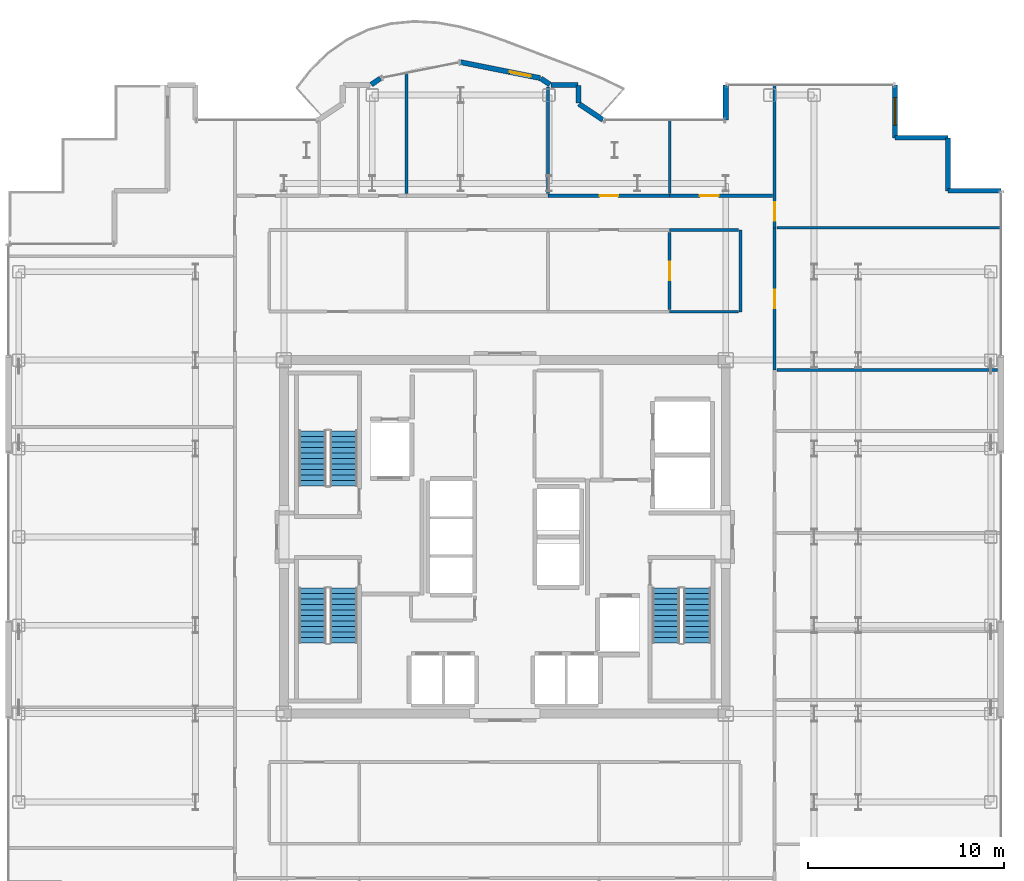
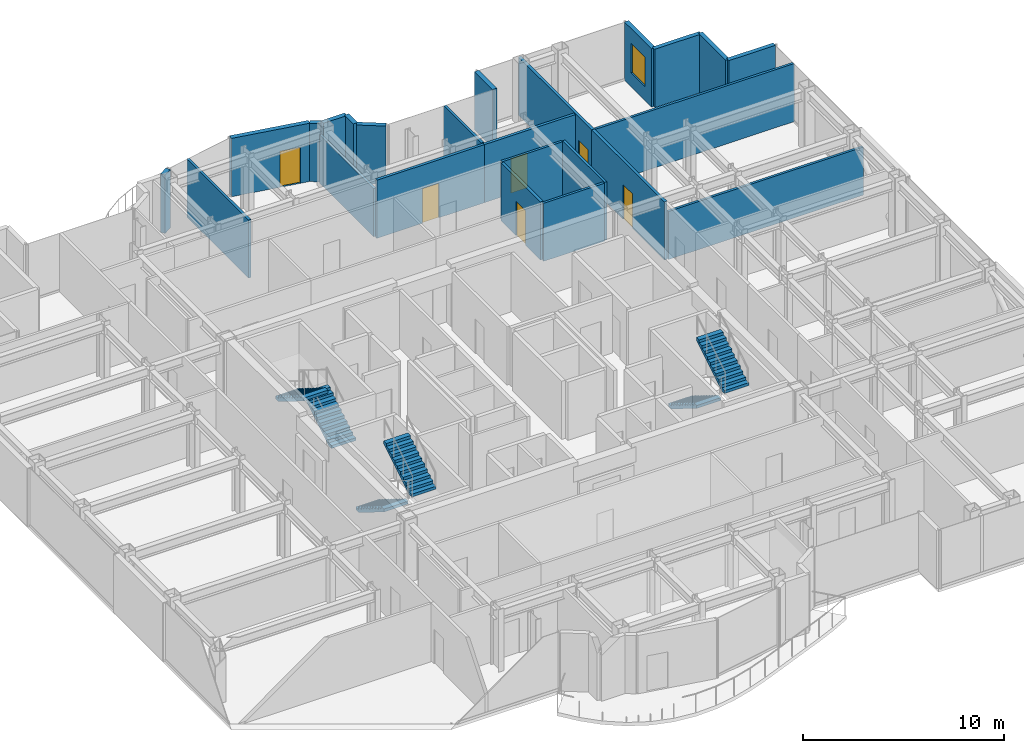
# One storey, part 20 of 22: 24 walls, 6 doors, 6 stair flights, 1 window, 7 openings, 3 elements without a shape of their own.
"""IFC4 building model written with IfcOpenShell, lengths in metres."""

from ifc_helpers import new_model, si_unit, direction, frame, frame_2d, origin, place, context, subcontext, project, spatial, polyline, rectangle, outline, extrude, source, transform, mapped, material, layer, layer_set, type_object, element, fill, aggregate, save


model = new_model("IFC4")

# Units and contexts
model_context = context("Model", 3, precision=1e-05, world=origin(), true_north=direction((0.0, 1.0)))
body_context = subcontext(model_context, "Body", "Model", "MODEL_VIEW")
ifc_project = project(units=[si_unit("LENGTHUNIT", "METRE"), si_unit("AREAUNIT", "SQUARE_METRE"), si_unit("VOLUMEUNIT", "CUBIC_METRE"), si_unit("PLANEANGLEUNIT", "RADIAN"), si_unit("MASSUNIT", "GRAM", prefix="KILO")], contexts=[model_context])

# Site, building, storey
site_placement = place(None, origin())
site = spatial("IfcSite", under=ifc_project, at=site_placement, CompositionType="ELEMENT")
building_placement = place(site_placement, origin())
building = spatial("IfcBuilding", under=site, at=building_placement, Name="Nefas-Gora Pilgrimage Tower", CompositionType="ELEMENT")
storey_placement = place(building_placement, frame((0.0, 0.0, 240.800048828125)))
storey = spatial("IfcBuildingStorey", under=building, at=storey_placement, Name="L60", CompositionType="ELEMENT", Elevation=240.800048828125)

# Walls
ifc_material_1 = material(Name="Precast concrete C40/50", Category="concrete")
ifc_layer_1 = layer(ifc_material_1, 0.260009765625)
ifc_layer_set_1 = layer_set([ifc_layer_1], Name="Precast concrete C40/50")
wall_type_1 = type_object("IfcWallType", Name="EW-PORTAL-260", PredefinedType="SOLIDWALL", material=ifc_layer_set_1)
shared_shape_1 = source(origin(), body_context, "Body", "SweptSolid", [
    extrude(rectangle(XDim=1.800048828125, YDim=0.260009765625, at=frame_2d((0.89990234375, 0.0))), origin(), (0.0, 0.0, 1.0), 3.550048828125),
])
wall_1_placement = place(storey_placement, frame((11.25, 23.02001953125, 0.0), z_axis=(0.0, 0.0, 1.0), x_axis=(0.0, -1.0, 0.0)))
element("IfcWall", 1, at=wall_1_placement, inside=storey, type_object=wall_type_1, Name="L60 Lobe Shoulder Precast Spandrel Pier 14", PredefinedType="SOLIDWALL", context=body_context, shape_type="MappedRepresentation", body=[
    mapped(shared_shape_1, transform((0.0, 0.0, 0.0), x_axis=(1.0, 0.0, 0.0), y_axis=(0.0, 1.0, 0.0), z_axis=(0.0, 0.0, 1.0), scale=1.0)),
])
ifc_material_2 = material(Name="Precast concrete C45/55", Category="concrete")
ifc_layer_2 = layer(ifc_material_2, 0.239990234375)
ifc_layer_set_2 = layer_set([ifc_layer_2], Name="Precast concrete C45/55")
wall_type_2 = type_object("IfcWallType", Name="EW-SERR-240", PredefinedType="SHEAR", material=ifc_layer_set_2)
shared_shape_2 = source(origin(), body_context, "Body", "SweptSolid", [
    extrude(rectangle(XDim=2.699951171875, YDim=0.239990234375, at=frame_2d((1.35009765625, 0.0))), origin(), (0.0, 0.0, 1.0), 3.550048828125),
])
for number, where, z_axis, x_axis, name in (
    (2, (25.27001953125, 17.6201171875, 0.0), (0.0, 0.0, 1.0), (-1.0, 0.0, 0.0), "L60 Serrated Corner Shear Pier Wall 10"),
    (3, (22.570068359375, 17.6201171875, 0.0), (0.0, 0.0, 1.0), (0.0, 1.0, 0.0), "L60 Serrated Corner Shear Pier Wall 11"),
    (4, (22.570068359375, 20.320068359375, 0.0), (0.0, 0.0, 1.0), (-1.0, 0.0, 0.0), "L60 Serrated Corner Shear Pier Wall 12"),
):
    element("IfcWall", number, at=place(storey_placement, frame(where, z_axis=z_axis, x_axis=x_axis)), inside=storey, type_object=wall_type_2, Name=name, PredefinedType="SHEAR", context=body_context, shape_type="MappedRepresentation", body=[
        mapped(shared_shape_2, transform((0.0, 0.0, 0.0), x_axis=(1.0, 0.0, 0.0), y_axis=(0.0, 1.0, 0.0), z_axis=(0.0, 0.0, 1.0), scale=1.0)),
    ])

# Wall, opening, window
wall_2_placement = place(storey_placement, frame((19.8701171875, 20.320068359375, 0.0), z_axis=(0.0, 0.0, 1.0), x_axis=(0.0, 1.0, 0.0)))
wall_2 = element("IfcWall", 5, at=wall_2_placement, inside=storey, type_object=wall_type_2, Name="L60 Serrated Corner Shear Pier Wall 13", PredefinedType="SHEAR", context=body_context, shape_type="MappedRepresentation", body=[
    mapped(shared_shape_2, transform((0.0, 0.0, 0.0), x_axis=(1.0, 0.0, 0.0), y_axis=(0.0, 1.0, 0.0), z_axis=(0.0, 0.0, 1.0), scale=1.0)),
])
opening_1_placement = place(wall_2_placement, frame((0.64990234375, 0.0, 0.85009765625)))
opening_1 = element("IfcOpeningElement", 6, at=opening_1_placement, cuts=wall_2, Name="Opening W-V2", PredefinedType="OPENING", context=body_context, shape_type="SweptSolid", body=[
    extrude(rectangle(XDim=1.39990234375, YDim=1.800048828125, at=frame_2d((0.699951171875, 0.89990234375))), frame((0.0, 0.1298828125, 0.0), z_axis=(0.0, -1.0, 0.0), x_axis=(1.0, 0.0, 0.0)), (0.0, 0.0, 1.0), 0.260009765625),
])
ifc_material_3 = material(Name="Dark ceramic-fritted operable aluminium-glass window", Category="aluminium")
window_type = type_object("IfcWindowType", Name="WIN-VENT-1400x1800", PartitioningType="SINGLE_PANEL", PredefinedType="WINDOW", material=ifc_material_3)
shared_shape_3 = source(origin(), body_context, "Body", "SweptSolid", [
    extrude(rectangle(XDim=1.39990234375, YDim=1.800048828125, at=frame_2d((0.699951171875, 0.89990234375))), frame((0.0, 0.030029296875, 0.0), z_axis=(0.0, -1.0, 0.0), x_axis=(1.0, 0.0, 0.0)), (0.0, 0.0, 1.0), 0.06005859375),
])
window_placement = place(opening_1_placement, origin())
window = element("IfcWindow", 7, at=window_placement, inside=storey, type_object=window_type, Name="L60 Operable Parallel-Outswing Window 13", OverallHeight=1.800048828125, OverallWidth=1.39990234375, PartitioningType="SINGLE_PANEL", PredefinedType="WINDOW", context=body_context, shape_type="MappedRepresentation", body=[
    mapped(shared_shape_3, transform((0.0, 0.0, 0.0), x_axis=(1.0, 0.0, 0.0), y_axis=(0.0, 1.0, 0.0), z_axis=(0.0, 0.0, 1.0), scale=1.0)),
])
fill(opening_1, window)

# Walls
shared_shape_4 = source(origin(), body_context, "Body", "SweptSolid", [
    extrude(rectangle(XDim=1.468994140625, YDim=0.260009765625, at=frame_2d((0.734375, 0.0))), origin(), (0.0, 0.0, 1.0), 3.550048828125),
])
wall_3_placement = place(storey_placement, frame((4.99462890625, 21.235595703125, 0.0), z_axis=(0.0, 0.0, 1.0), x_axis=(-0.831461760506, 0.555581983884, 0.0)))
element("IfcWall", 8, at=wall_3_placement, inside=storey, type_object=wall_type_1, Name="L60 Lobe Shoulder Precast Spandrel Pier 15", PredefinedType="SOLIDWALL", context=body_context, shape_type="MappedRepresentation", body=[
    mapped(shared_shape_4, transform((0.0, 0.0, 0.0), x_axis=(1.0, 0.0, 0.0), y_axis=(0.0, 1.0, 0.0), z_axis=(0.0, 0.0, 1.0), scale=1.0)),
])
shared_shape_5 = source(origin(), body_context, "Body", "SweptSolid", [
    extrude(rectangle(XDim=0.896728515625, YDim=0.260009765625, at=frame_2d((0.4482421875, 0.0))), origin(), (0.0, 0.0, 1.0), 3.550048828125),
])
wall_4_placement = place(storey_placement, frame((3.75, 22.09521484375, 0.0), z_axis=(0.0, 0.0, 1.0), x_axis=(0.0, 1.0, 0.0)))
element("IfcWall", 9, at=wall_4_placement, inside=storey, type_object=wall_type_1, Name="L60 Lobe Shoulder Precast Spandrel Pier 16", PredefinedType="SOLIDWALL", context=body_context, shape_type="MappedRepresentation", body=[
    mapped(shared_shape_5, transform((0.0, 0.0, 0.0), x_axis=(1.0, 0.0, 0.0), y_axis=(0.0, 1.0, 0.0), z_axis=(0.0, 0.0, 1.0), scale=1.0)),
])
shared_shape_6 = source(origin(), body_context, "Body", "SweptSolid", [
    extrude(rectangle(XDim=1.369873046875, YDim=0.260009765625, at=frame_2d((0.68505859375, 0.0))), origin(), (0.0, 0.0, 1.0), 3.550048828125),
])
wall_5_placement = place(storey_placement, frame((3.721923828125, 23.02001953125, 0.0), z_axis=(0.0, 0.0, 1.0), x_axis=(-1.0, 0.0, 0.0)))
element("IfcWall", 10, at=wall_5_placement, inside=storey, type_object=wall_type_1, Name="L60 Lobe Shoulder Precast Spandrel Pier 17", PredefinedType="SOLIDWALL", context=body_context, shape_type="MappedRepresentation", body=[
    mapped(shared_shape_6, transform((0.0, 0.0, 0.0), x_axis=(1.0, 0.0, 0.0), y_axis=(0.0, 1.0, 0.0), z_axis=(0.0, 0.0, 1.0), scale=1.0)),
])
shared_shape_7 = source(origin(), body_context, "Body", "SweptSolid", [
    extrude(rectangle(XDim=0.5654296875, YDim=0.260009765625, at=frame_2d((0.28271484375, 0.0))), origin(), (0.0, 0.0, 1.0), 3.550048828125),
])
for number, where, z_axis, x_axis, name in (
    (11, (2.30078125, 23.03564453125, 0.0), (0.0, 0.0, 1.0), (-0.831651492666, 0.555297933317, 0.0), "L60 Lobe Shoulder Precast Spandrel Pier 18"),
    (12, (-6.33056640625, 23.349609375, 0.0), (0.0, 0.0, 1.0), (-0.831651492666, -0.555297933317, 0.0), "L60 Lobe Shoulder Precast Spandrel Pier 20"),
):
    element("IfcWall", number, at=place(storey_placement, frame(where, z_axis=z_axis, x_axis=x_axis)), inside=storey, type_object=wall_type_1, Name=name, PredefinedType="SOLIDWALL", context=body_context, shape_type="MappedRepresentation", body=[
        mapped(shared_shape_7, transform((0.0, 0.0, 0.0), x_axis=(1.0, 0.0, 0.0), y_axis=(0.0, 1.0, 0.0), z_axis=(0.0, 0.0, 1.0), scale=1.0)),
    ])

# Wall, opening, door
shared_shape_8 = source(origin(), body_context, "Body", "SweptSolid", [
    extrude(rectangle(XDim=4.136962890625, YDim=0.260009765625, at=frame_2d((2.068359375, 0.0))), origin(), (0.0, 0.0, 1.0), 3.550048828125),
])
wall_6_placement = place(storey_placement, frame((1.807373046875, 23.365234375, 0.0), z_axis=(0.0, 0.0, 1.0), x_axis=(-0.980782170794, 0.195105954428, 0.0)))
wall_6 = element("IfcWall", 13, at=wall_6_placement, inside=storey, type_object=wall_type_1, Name="L60 Insulated Terrace Portal Wall 19", PredefinedType="SOLIDWALL", context=body_context, shape_type="MappedRepresentation", body=[
    mapped(shared_shape_8, transform((0.0, 0.0, 0.0), x_axis=(1.0, 0.0, 0.0), y_axis=(0.0, 1.0, 0.0), z_axis=(0.0, 0.0, 1.0), scale=1.0)),
])
opening_2_placement = place(wall_6_placement, frame((0.48779296875, 0.0, 0.0)))
opening_2 = element("IfcOpeningElement", 14, at=opening_2_placement, cuts=wall_6, Name="Opening ED-B1", PredefinedType="OPENING", context=body_context, shape_type="SweptSolid", body=[
    extrude(rectangle(XDim=1.10009765625, YDim=2.199951171875, at=frame_2d((0.550048828125, 1.10009765625))), frame((0.0, 0.139892578125, 0.0), z_axis=(0.0, -1.0, 0.0), x_axis=(1.0, 0.0, 0.0)), (0.0, 0.0, 1.0), 0.280029296875),
])
ifc_material_4 = material(Name="Thermally broken glazed aluminium balcony door", Category="aluminium")
door_type_1 = type_object("IfcDoorType", Name="DR-EXT-BAL-1100", OperationType="NOTDEFINED", PredefinedType="DOOR", material=ifc_material_4)
shared_shape_9 = source(origin(), body_context, "Body", "SweptSolid", [
    extrude(rectangle(XDim=1.10009765625, YDim=2.199951171875, at=frame_2d((0.550048828125, 1.10009765625))), frame((0.0, 0.02490234375, 0.0), z_axis=(0.0, -1.0, 0.0), x_axis=(1.0, 0.0, 0.0)), (0.0, 0.0, 1.0), 0.050048828125),
])
door_1_placement = place(opening_2_placement, origin())
door_1 = element("IfcDoor", 15, at=door_1_placement, inside=storey, type_object=door_type_1, Name="L60 Exterior Door (L60 N Lobe Wave Balcony)", OperationType="SINGLE_SWING_RIGHT", OverallHeight=2.199951171875, OverallWidth=1.10009765625, PredefinedType="DOOR", context=body_context, shape_type="MappedRepresentation", body=[
    mapped(shared_shape_9, transform((0.0, 0.0, 0.0), x_axis=(1.0, 0.0, 0.0), y_axis=(0.0, 1.0, 0.0), z_axis=(0.0, 0.0, 1.0), scale=1.0)),
])
fill(opening_2, door_1)

ifc_material_5 = material(Name="Gypsum acoustic stud partition")
ifc_layer_3 = layer(ifc_material_5, 0.159912109375)
ifc_layer_set_3 = layer_set([ifc_layer_3], Name="Gypsum acoustic stud partition")
wall_type_3 = type_object("IfcWallType", Name="IW-CORR-160", PredefinedType="PARTITIONING", material=ifc_layer_set_3)
shared_shape_10 = source(origin(), body_context, "Body", "SweptSolid", [
    extrude(rectangle(XDim=5.22509765625, YDim=0.159912109375, at=frame_2d((2.612548828125, 0.0))), origin(), (0.0, 0.0, 1.0), 3.534912109375),
])
wall_7_placement = place(storey_placement, frame((8.39501953125, 17.3701171875, 0.0), z_axis=(0.0, 0.0, 1.0), x_axis=(1.0, 0.0, 0.0)))
wall_7 = element("IfcWall", 16, at=wall_7_placement, inside=storey, type_object=wall_type_3, Name="L60 Pilgrim Contemplative Lounge Partition Wall 69", PredefinedType="PARTITIONING", context=body_context, shape_type="MappedRepresentation", body=[
    mapped(shared_shape_10, transform((0.0, 0.0, 0.0), x_axis=(1.0, 0.0, 0.0), y_axis=(0.0, 1.0, 0.0), z_axis=(0.0, 0.0, 1.0), scale=1.0)),
])
opening_3_placement = place(wall_7_placement, frame((1.543212890625, 0.0, 0.0)))
opening_3 = element("IfcOpeningElement", 17, at=opening_3_placement, cuts=wall_7, Name="Opening ID-GR1", PredefinedType="OPENING", context=body_context, shape_type="SweptSolid", body=[
    extrude(rectangle(XDim=0.949951171875, YDim=2.10009765625, at=frame_2d((0.47509765625, 1.050048828125))), frame((0.0, 0.08984375, 0.0), z_axis=(0.0, -1.0, 0.0), x_axis=(1.0, 0.0, 0.0)), (0.0, 0.0, 1.0), 0.179931640625),
])
ifc_material_6 = material(Name="Solid core oak fire-rated guest entrance door")
door_type_2 = type_object("IfcDoorType", Name="DR-INT-GUEST-950", OperationType="NOTDEFINED", PredefinedType="DOOR", material=ifc_material_6)
shared_shape_11 = source(origin(), body_context, "Body", "SweptSolid", [
    extrude(rectangle(XDim=0.949951171875, YDim=2.10009765625, at=frame_2d((0.47509765625, 1.050048828125))), frame((0.0, 0.02490234375, 0.0), z_axis=(0.0, -1.0, 0.0), x_axis=(1.0, 0.0, 0.0)), (0.0, 0.0, 1.0), 0.050048828125),
])
door_2_placement = place(opening_3_placement, origin())
door_2 = element("IfcDoor", 18, at=door_2_placement, inside=storey, type_object=door_type_2, Name="L60 Pilgrim Contemplative Lounge Door 32", OperationType="SINGLE_SWING_RIGHT", OverallHeight=2.10009765625, OverallWidth=0.949951171875, PredefinedType="DOOR", context=body_context, shape_type="MappedRepresentation", body=[
    mapped(shared_shape_11, transform((0.0, 0.0, 0.0), x_axis=(1.0, 0.0, 0.0), y_axis=(0.0, 1.0, 0.0), z_axis=(0.0, 0.0, 1.0), scale=1.0)),
])
fill(opening_3, door_2)

shared_shape_12 = source(origin(), body_context, "Body", "SweptSolid", [
    extrude(rectangle(XDim=6.2099609375, YDim=0.159912109375, at=frame_2d((3.10498046875, 0.0))), origin(), (0.0, 0.0, 1.0), 3.534912109375),
])
wall_8_placement = place(storey_placement, frame((2.195068359375, 17.3701171875, 0.0), z_axis=(0.0, 0.0, 1.0), x_axis=(1.0, 0.0, 0.0)))
wall_8 = element("IfcWall", 19, at=wall_8_placement, inside=storey, type_object=wall_type_3, Name="L60 Pilgrim Contemplative Lounge Partition Wall 64", PredefinedType="PARTITIONING", context=body_context, shape_type="MappedRepresentation", body=[
    mapped(shared_shape_12, transform((0.0, 0.0, 0.0), x_axis=(1.0, 0.0, 0.0), y_axis=(0.0, 1.0, 0.0), z_axis=(0.0, 0.0, 1.0), scale=1.0)),
])
opening_4_placement = place(wall_8_placement, frame((2.6298828125, 0.0, 0.0)))
opening_4 = element("IfcOpeningElement", 20, at=opening_4_placement, cuts=wall_8, Name="Opening ID-GR1", PredefinedType="OPENING", context=body_context, shape_type="SweptSolid", body=[
    extrude(rectangle(XDim=0.949951171875, YDim=2.10009765625, at=frame_2d((0.47509765625, 1.050048828125))), frame((0.0, 0.08984375, 0.0), z_axis=(0.0, -1.0, 0.0), x_axis=(1.0, 0.0, 0.0)), (0.0, 0.0, 1.0), 0.179931640625),
])
door_3_placement = place(opening_4_placement, origin())
door_3 = element("IfcDoor", 21, at=door_3_placement, inside=storey, type_object=door_type_2, Name="L60 Pilgrim Contemplative Lounge Door 29", OperationType="SINGLE_SWING_LEFT", OverallHeight=2.10009765625, OverallWidth=0.949951171875, PredefinedType="DOOR", context=body_context, shape_type="MappedRepresentation", body=[
    mapped(shared_shape_11, transform((0.0, 0.0, 0.0), x_axis=(1.0, 0.0, 0.0), y_axis=(0.0, 1.0, 0.0), z_axis=(0.0, 0.0, 1.0), scale=1.0)),
])
fill(opening_4, door_3)

# Wall
ifc_material_7 = material(Name="Gypsum twin-stud partition")
ifc_layer_4 = layer(ifc_material_7, 0.139892578125)
ifc_layer_set_4 = layer_set([ifc_layer_4], Name="Gypsum twin-stud partition")
wall_type_4 = type_object("IfcWallType", Name="IW-UNIT-140", PredefinedType="PARTITIONING", material=ifc_layer_set_4)
shared_shape_13 = source(origin(), body_context, "Body", "SweptSolid", [
    extrude(rectangle(XDim=11.429931640625, YDim=0.139892578125, at=frame_2d((5.71484375, 0.0))), origin(), (0.0, 0.0, 1.0), 3.534912109375),
])
wall_9_placement = place(storey_placement, frame((13.860107421875, 15.74755859375, 0.0), z_axis=(0.0, 0.0, 1.0), x_axis=(1.0, 0.0, 0.0)))
element("IfcWall", 22, at=wall_9_placement, inside=storey, type_object=wall_type_4, Name="L60 Pilgrim Contemplative Lounge Partition Wall 50", PredefinedType="PARTITIONING", context=body_context, shape_type="MappedRepresentation", body=[
    mapped(shared_shape_13, transform((0.0, 0.0, 0.0), x_axis=(1.0, 0.0, 0.0), y_axis=(0.0, 1.0, 0.0), z_axis=(0.0, 0.0, 1.0), scale=1.0)),
])

# Wall, opening, door
shared_shape_14 = source(origin(), body_context, "Body", "SweptSolid", [
    extrude(rectangle(XDim=7.302490234375, YDim=0.159912109375, at=frame_2d((3.6513671875, 0.0))), origin(), (0.0, 0.0, 1.0), 3.534912109375),
])
wall_10_placement = place(storey_placement, frame((13.739990234375, 15.737548828125, 0.0), z_axis=(0.0, 0.0, 1.0), x_axis=(0.0, 1.0, 0.0)))
wall_10 = element("IfcWall", 23, at=wall_10_placement, inside=storey, type_object=wall_type_3, Name="L60 Pilgrim Contemplative Lounge Partition Wall 49", PredefinedType="PARTITIONING", context=body_context, shape_type="MappedRepresentation", body=[
    mapped(shared_shape_14, transform((0.0, 0.0, 0.0), x_axis=(1.0, 0.0, 0.0), y_axis=(0.0, 1.0, 0.0), z_axis=(0.0, 0.0, 1.0), scale=1.0)),
])
opening_5_placement = place(wall_10_placement, frame((0.361328125, 0.0, 0.0)))
opening_5 = element("IfcOpeningElement", 24, at=opening_5_placement, cuts=wall_10, Name="Opening ID-GR1", PredefinedType="OPENING", context=body_context, shape_type="SweptSolid", body=[
    extrude(rectangle(XDim=0.949951171875, YDim=2.10009765625, at=frame_2d((0.47509765625, 1.050048828125))), frame((0.0, 0.08984375, 0.0), z_axis=(0.0, -1.0, 0.0), x_axis=(1.0, 0.0, 0.0)), (0.0, 0.0, 1.0), 0.179931640625),
])
door_4_placement = place(opening_5_placement, origin())
door_4 = element("IfcDoor", 25, at=door_4_placement, inside=storey, type_object=door_type_2, Name="L60 Pilgrim Contemplative Lounge Door 22", OperationType="SINGLE_SWING_RIGHT", OverallHeight=2.10009765625, OverallWidth=0.949951171875, PredefinedType="DOOR", context=body_context, shape_type="MappedRepresentation", body=[
    mapped(shared_shape_11, transform((0.0, 0.0, 0.0), x_axis=(1.0, 0.0, 0.0), y_axis=(0.0, 1.0, 0.0), z_axis=(0.0, 0.0, 1.0), scale=1.0)),
])
fill(opening_5, door_4)

shared_shape_15 = source(origin(), body_context, "Body", "SweptSolid", [
    extrude(rectangle(XDim=7.242431640625, YDim=0.159912109375, at=frame_2d((3.62109375, 0.0))), origin(), (0.0, 0.0, 1.0), 3.534912109375),
])
wall_11_placement = place(storey_placement, frame((13.739990234375, 8.4951171875, 0.0), z_axis=(0.0, 0.0, 1.0), x_axis=(0.0, 1.0, 0.0)))
wall_11 = element("IfcWall", 26, at=wall_11_placement, inside=storey, type_object=wall_type_3, Name="L60 Pilgrim Contemplative Lounge Partition Wall 51", PredefinedType="PARTITIONING", context=body_context, shape_type="MappedRepresentation", body=[
    mapped(shared_shape_15, transform((0.0, 0.0, 0.0), x_axis=(1.0, 0.0, 0.0), y_axis=(0.0, 1.0, 0.0), z_axis=(0.0, 0.0, 1.0), scale=1.0)),
])
opening_6_placement = place(wall_11_placement, frame((3.146240234375, 0.0, 0.0)))
opening_6 = element("IfcOpeningElement", 27, at=opening_6_placement, cuts=wall_11, Name="Opening ID-GR1", PredefinedType="OPENING", context=body_context, shape_type="SweptSolid", body=[
    extrude(rectangle(XDim=0.949951171875, YDim=2.10009765625, at=frame_2d((0.47509765625, 1.050048828125))), frame((0.0, 0.08984375, 0.0), z_axis=(0.0, -1.0, 0.0), x_axis=(1.0, 0.0, 0.0)), (0.0, 0.0, 1.0), 0.179931640625),
])
door_5_placement = place(opening_6_placement, origin())
door_5 = element("IfcDoor", 28, at=door_5_placement, inside=storey, type_object=door_type_2, Name="L60 Pilgrim Contemplative Lounge Door 23", OperationType="SINGLE_SWING_LEFT", OverallHeight=2.10009765625, OverallWidth=0.949951171875, PredefinedType="DOOR", context=body_context, shape_type="MappedRepresentation", body=[
    mapped(shared_shape_11, transform((0.0, 0.0, 0.0), x_axis=(1.0, 0.0, 0.0), y_axis=(0.0, 1.0, 0.0), z_axis=(0.0, 0.0, 1.0), scale=1.0)),
])
fill(opening_6, door_5)

# Walls
shared_shape_16 = source(origin(), body_context, "Body", "SweptSolid", [
    extrude(rectangle(XDim=6.15673828125, YDim=0.139892578125, at=frame_2d((3.078369140625, 0.0))), origin(), (0.0, 0.0, 1.0), 3.534912109375),
])
wall_12_placement = place(storey_placement, frame((-5.0048828125, 17.489990234375, 0.0), z_axis=(0.0, 0.0, 1.0), x_axis=(0.0, 1.0, 0.0)))
element("IfcWall", 29, at=wall_12_placement, inside=storey, type_object=wall_type_4, Name="L60 Pilgrim Contemplative Lounge Partition Wall 57", PredefinedType="PARTITIONING", context=body_context, shape_type="MappedRepresentation", body=[
    mapped(shared_shape_16, transform((0.0, 0.0, 0.0), x_axis=(1.0, 0.0, 0.0), y_axis=(0.0, 1.0, 0.0), z_axis=(0.0, 0.0, 1.0), scale=1.0)),
])
shared_shape_17 = source(origin(), body_context, "Body", "SweptSolid", [
    extrude(rectangle(XDim=3.75, YDim=0.139892578125, at=frame_2d((1.875, 0.0))), origin(), (0.0, 0.0, 1.0), 3.534912109375),
])
wall_13_placement = place(storey_placement, frame((8.39501953125, 17.489990234375, 0.0), z_axis=(0.0, 0.0, 1.0), x_axis=(0.0, 1.0, 0.0)))
element("IfcWall", 30, at=wall_13_placement, inside=storey, type_object=wall_type_4, Name="L60 Pilgrim Contemplative Lounge Partition Wall 65", PredefinedType="PARTITIONING", context=body_context, shape_type="MappedRepresentation", body=[
    mapped(shared_shape_17, transform((0.0, 0.0, 0.0), x_axis=(1.0, 0.0, 0.0), y_axis=(0.0, 1.0, 0.0), z_axis=(0.0, 0.0, 1.0), scale=1.0)),
])

# Wall, opening, door
shared_shape_18 = source(origin(), body_context, "Body", "SweptSolid", [
    extrude(rectangle(XDim=3.929931640625, YDim=0.159912109375, at=frame_2d((1.96484375, 0.0))), origin(), (0.0, 0.0, 1.0), 3.534912109375),
])
wall_14_placement = place(storey_placement, frame((8.39501953125, 11.580078125, 0.0), z_axis=(0.0, 0.0, 1.0), x_axis=(0.0, 1.0, 0.0)))
wall_14 = element("IfcWall", 31, at=wall_14_placement, inside=storey, type_object=wall_type_3, Name="L60 Pilgrim Contemplative Lounge Partition Wall 68", PredefinedType="PARTITIONING", context=body_context, shape_type="MappedRepresentation", body=[
    mapped(shared_shape_18, transform((0.0, 0.0, 0.0), x_axis=(1.0, 0.0, 0.0), y_axis=(0.0, 1.0, 0.0), z_axis=(0.0, 0.0, 1.0), scale=1.0)),
])
opening_7_placement = place(wall_14_placement, frame((1.489990234375, 0.0, 0.0)))
opening_7 = element("IfcOpeningElement", 32, at=opening_7_placement, cuts=wall_14, Name="Opening ID-GR1", PredefinedType="OPENING", context=body_context, shape_type="SweptSolid", body=[
    extrude(rectangle(XDim=0.949951171875, YDim=2.10009765625, at=frame_2d((0.47509765625, 1.050048828125))), frame((0.0, 0.08984375, 0.0), z_axis=(0.0, -1.0, 0.0), x_axis=(1.0, 0.0, 0.0)), (0.0, 0.0, 1.0), 0.179931640625),
])
door_6_placement = place(opening_7_placement, origin())
door_6 = element("IfcDoor", 33, at=door_6_placement, inside=storey, type_object=door_type_2, Name="L60 Pilgrim Contemplative Lounge Door 31", OperationType="SINGLE_SWING_LEFT", OverallHeight=2.10009765625, OverallWidth=0.949951171875, PredefinedType="DOOR", context=body_context, shape_type="MappedRepresentation", body=[
    mapped(shared_shape_11, transform((0.0, 0.0, 0.0), x_axis=(1.0, 0.0, 0.0), y_axis=(0.0, 1.0, 0.0), z_axis=(0.0, 0.0, 1.0), scale=1.0)),
])
fill(opening_7, door_6)

# Walls
shared_shape_19 = source(origin(), body_context, "Body", "SweptSolid", [
    extrude(rectangle(XDim=4.179931640625, YDim=0.139892578125, at=frame_2d((2.08984375, 0.0))), origin(), (0.0, 0.0, 1.0), 3.534912109375),
])
wall_15_placement = place(storey_placement, frame((12.0, 11.4599609375, 0.0), z_axis=(0.0, 0.0, 1.0), x_axis=(0.0, 1.0, 0.0)))
element("IfcWall", 34, at=wall_15_placement, inside=storey, type_object=wall_type_4, Name="L60 Pilgrim Contemplative Lounge Partition Wall 70", PredefinedType="PARTITIONING", context=body_context, shape_type="MappedRepresentation", body=[
    mapped(shared_shape_19, transform((0.0, 0.0, 0.0), x_axis=(1.0, 0.0, 0.0), y_axis=(0.0, 1.0, 0.0), z_axis=(0.0, 0.0, 1.0), scale=1.0)),
])
shared_shape_20 = source(origin(), body_context, "Body", "SweptSolid", [
    extrude(rectangle(XDim=3.494873046875, YDim=0.139892578125, at=frame_2d((1.74755859375, 0.0))), origin(), (0.0, 0.0, 1.0), 3.534912109375),
])
for number, where, z_axis, x_axis, name in (
    (35, (8.39501953125, 15.6298828125, 0.0), (0.0, 0.0, 1.0), (1.0, 0.0, 0.0), "L60 Pilgrim Contemplative Lounge Partition Wall 71"),
    (36, (8.39501953125, 11.469970703125, 0.0), (0.0, 0.0, 1.0), (1.0, 0.0, 0.0), "L60 Pilgrim Contemplative Lounge Partition Wall 72"),
):
    element("IfcWall", number, at=place(storey_placement, frame(where, z_axis=z_axis, x_axis=x_axis)), inside=storey, type_object=wall_type_4, Name=name, PredefinedType="PARTITIONING", context=body_context, shape_type="MappedRepresentation", body=[
        mapped(shared_shape_20, transform((0.0, 0.0, 0.0), x_axis=(1.0, 0.0, 0.0), y_axis=(0.0, 1.0, 0.0), z_axis=(0.0, 0.0, 1.0), scale=1.0)),
    ])
shared_shape_21 = source(origin(), body_context, "Body", "SweptSolid", [
    extrude(rectangle(XDim=11.219970703125, YDim=0.139892578125, at=frame_2d((5.60986328125, 0.0))), origin(), (0.0, 0.0, 1.0), 2.925048828125),
])
wall_16_placement = place(storey_placement, frame((13.860107421875, 8.4951171875, 0.0), z_axis=(0.0, 0.0, 1.0), x_axis=(1.0, 0.0, 0.0)))
element("IfcWall", 37, at=wall_16_placement, inside=storey, type_object=wall_type_4, Name="L60 Pilgrim Contemplative Lounge Partition Wall 48", PredefinedType="PARTITIONING", context=body_context, shape_type="MappedRepresentation", body=[
    mapped(shared_shape_21, transform((0.0, 0.0, 0.0), x_axis=(1.0, 0.0, 0.0), y_axis=(0.0, 1.0, 0.0), z_axis=(0.0, 0.0, 1.0), scale=1.0)),
])
shared_shape_22 = source(origin(), body_context, "Body", "SweptSolid", [
    extrude(rectangle(XDim=5.414306640625, YDim=0.139892578125, at=frame_2d((2.70703125, 0.0))), origin(), (0.0, 0.0, 1.0), 2.925048828125),
])
wall_17_placement = place(storey_placement, frame((2.195068359375, 17.489990234375, 0.0), z_axis=(0.0, 0.0, 1.0), x_axis=(0.0, 1.0, 0.0)))
element("IfcWall", 38, at=wall_17_placement, inside=storey, type_object=wall_type_4, Name="L60 Pilgrim Contemplative Lounge Partition Wall 60", PredefinedType="PARTITIONING", context=body_context, shape_type="MappedRepresentation", body=[
    mapped(shared_shape_22, transform((0.0, 0.0, 0.0), x_axis=(1.0, 0.0, 0.0), y_axis=(0.0, 1.0, 0.0), z_axis=(0.0, 0.0, 1.0), scale=1.0)),
])

# Stair, stair flights
ifc_material_8 = material(Name="Concrete C45/55", Category="concrete")
stair_type = type_object("IfcStairType", Name="STR-1400-R1727", PredefinedType="HALF_TURN_STAIR", material=ifc_material_8)
stair_1_placement = place(storey_placement, origin())
stair_1 = element("IfcStair", 39, at=stair_1_placement, inside=storey, type_object=stair_type, Name="L60 Pressurised Tower Exit Stair ST-01", PredefinedType="HALF_TURN_STAIR")
stair_flight_type = type_object("IfcStairFlightType", Name="STF-1400-R1727", PredefinedType="STRAIGHT", material=ifc_material_8)
shared_shape_23 = source(origin(), body_context, "Body", "SweptSolid", [
    extrude(outline(polyline([(0.0, 0.0), (0.0, 0.172607421875), (0.280029296875, 0.172607421875), (0.280029296875, 0.345458984375), (0.56005859375, 0.345458984375), (0.56005859375, 0.51806640625), (0.840087890625, 0.51806640625), (0.840087890625, 0.69091796875), (1.1201171875, 0.69091796875), (1.1201171875, 0.863525390625), (1.39990234375, 0.863525390625), (1.39990234375, 1.036376953125), (1.679931640625, 1.036376953125), (1.679931640625, 1.208984375), (1.9599609375, 1.208984375), (1.9599609375, 1.3818359375), (2.239990234375, 1.3818359375), (2.239990234375, 1.554443359375), (2.52001953125, 1.554443359375), (2.52001953125, 1.727294921875), (2.800048828125, 1.727294921875), (2.800048828125, 1.89990234375), (2.800048828125, 1.551025390625), (0.285400390625, 0.0), (0.0, 0.0)])), frame((0.0, 0.699951171875, 0.0), z_axis=(0.0, -1.0, 0.0), x_axis=(1.0, 0.0, 0.0)), (0.0, 0.0, 1.0), 1.39990234375),
])
stair_flight_1_placement = place(storey_placement, frame((-8.199951171875, 2.60009765625, 0.0), z_axis=(0.0, 0.0, 1.0), x_axis=(0.0, 1.0, 0.0)))
stair_flight_1 = element("IfcStairFlight", 40, at=stair_flight_1_placement, type_object=stair_flight_type, Name="ST-01 flight 1", NumberOfRisers=11, NumberOfTreads=10, PredefinedType="STRAIGHT", RiserHeight=0.172727273, TreadLength=0.28, context=body_context, shape_type="MappedRepresentation", body=[
    mapped(shared_shape_23, transform((0.0, 0.0, 0.0), x_axis=(1.0, 0.0, 0.0), y_axis=(0.0, 1.0, 0.0), z_axis=(0.0, 0.0, 1.0), scale=1.0)),
])
stair_flight_2_placement = place(storey_placement, frame((-9.800048828125, 5.39990234375, 1.89990234375), z_axis=(0.0, 0.0, 1.0), x_axis=(0.0, -1.0, 0.0)))
stair_flight_2 = element("IfcStairFlight", 41, at=stair_flight_2_placement, type_object=stair_flight_type, Name="ST-01 flight 2", NumberOfRisers=11, NumberOfTreads=10, PredefinedType="STRAIGHT", RiserHeight=0.172727273, TreadLength=0.28, context=body_context, shape_type="MappedRepresentation", body=[
    mapped(shared_shape_23, transform((0.0, 0.0, 0.0), x_axis=(1.0, 0.0, 0.0), y_axis=(0.0, 1.0, 0.0), z_axis=(0.0, 0.0, 1.0), scale=1.0)),
])
aggregate(stair_1, [stair_flight_1, stair_flight_2])

stair_2_placement = place(storey_placement, origin())
stair_2 = element("IfcStair", 42, at=stair_2_placement, inside=storey, type_object=stair_type, Name="L60 Pressurised Tower Exit Stair ST-02", PredefinedType="HALF_TURN_STAIR")
stair_flight_3_placement = place(storey_placement, frame((8.199951171875, -2.60009765625, 0.0), z_axis=(0.0, 0.0, 1.0), x_axis=(0.0, -1.0, 0.0)))
stair_flight_3 = element("IfcStairFlight", 43, at=stair_flight_3_placement, type_object=stair_flight_type, Name="ST-02 flight 1", NumberOfRisers=11, NumberOfTreads=10, PredefinedType="STRAIGHT", RiserHeight=0.172727273, TreadLength=0.28, context=body_context, shape_type="MappedRepresentation", body=[
    mapped(shared_shape_23, transform((0.0, 0.0, 0.0), x_axis=(1.0, 0.0, 0.0), y_axis=(0.0, 1.0, 0.0), z_axis=(0.0, 0.0, 1.0), scale=1.0)),
])
stair_flight_4_placement = place(storey_placement, frame((9.800048828125, -5.39990234375, 1.89990234375), z_axis=(0.0, 0.0, 1.0), x_axis=(0.0, 1.0, 0.0)))
stair_flight_4 = element("IfcStairFlight", 44, at=stair_flight_4_placement, type_object=stair_flight_type, Name="ST-02 flight 2", NumberOfRisers=11, NumberOfTreads=10, PredefinedType="STRAIGHT", RiserHeight=0.172727273, TreadLength=0.28, context=body_context, shape_type="MappedRepresentation", body=[
    mapped(shared_shape_23, transform((0.0, 0.0, 0.0), x_axis=(1.0, 0.0, 0.0), y_axis=(0.0, 1.0, 0.0), z_axis=(0.0, 0.0, 1.0), scale=1.0)),
])
aggregate(stair_2, [stair_flight_3, stair_flight_4])

stair_3_placement = place(storey_placement, origin())
stair_3 = element("IfcStair", 45, at=stair_3_placement, inside=storey, type_object=stair_type, Name="L60 Pressurised Tower Exit Stair ST-03", PredefinedType="HALF_TURN_STAIR")
stair_flight_5_placement = place(storey_placement, frame((-9.800048828125, -2.60009765625, 0.0), z_axis=(0.0, 0.0, 1.0), x_axis=(0.0, -1.0, 0.0)))
stair_flight_5 = element("IfcStairFlight", 46, at=stair_flight_5_placement, type_object=stair_flight_type, Name="ST-03 flight 1", NumberOfRisers=11, NumberOfTreads=10, PredefinedType="STRAIGHT", RiserHeight=0.172727273, TreadLength=0.28, context=body_context, shape_type="MappedRepresentation", body=[
    mapped(shared_shape_23, transform((0.0, 0.0, 0.0), x_axis=(1.0, 0.0, 0.0), y_axis=(0.0, 1.0, 0.0), z_axis=(0.0, 0.0, 1.0), scale=1.0)),
])
stair_flight_6_placement = place(storey_placement, frame((-8.199951171875, -5.39990234375, 1.89990234375), z_axis=(0.0, 0.0, 1.0), x_axis=(0.0, 1.0, 0.0)))
stair_flight_6 = element("IfcStairFlight", 47, at=stair_flight_6_placement, type_object=stair_flight_type, Name="ST-03 flight 2", NumberOfRisers=11, NumberOfTreads=10, PredefinedType="STRAIGHT", RiserHeight=0.172727273, TreadLength=0.28, context=body_context, shape_type="MappedRepresentation", body=[
    mapped(shared_shape_23, transform((0.0, 0.0, 0.0), x_axis=(1.0, 0.0, 0.0), y_axis=(0.0, 1.0, 0.0), z_axis=(0.0, 0.0, 1.0), scale=1.0)),
])
aggregate(stair_3, [stair_flight_5, stair_flight_6])

save(model, "model.ifc")
